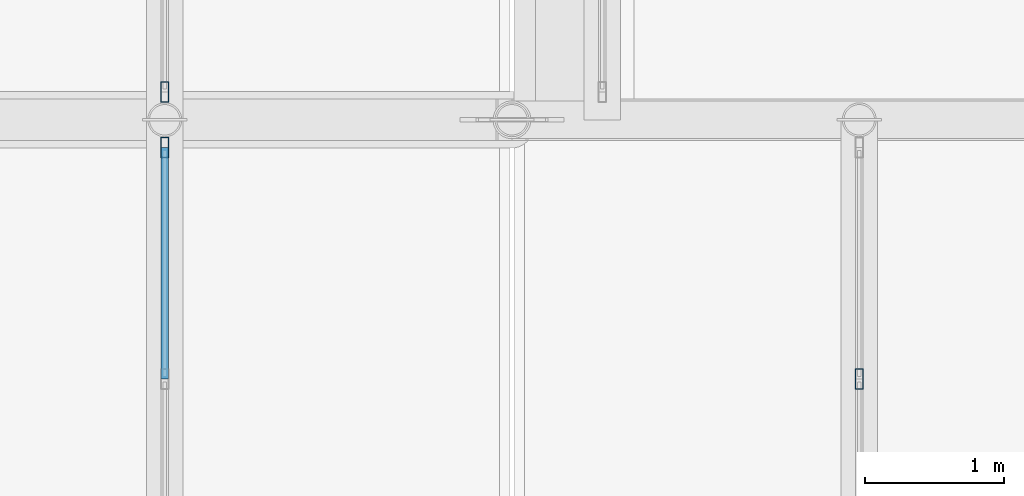
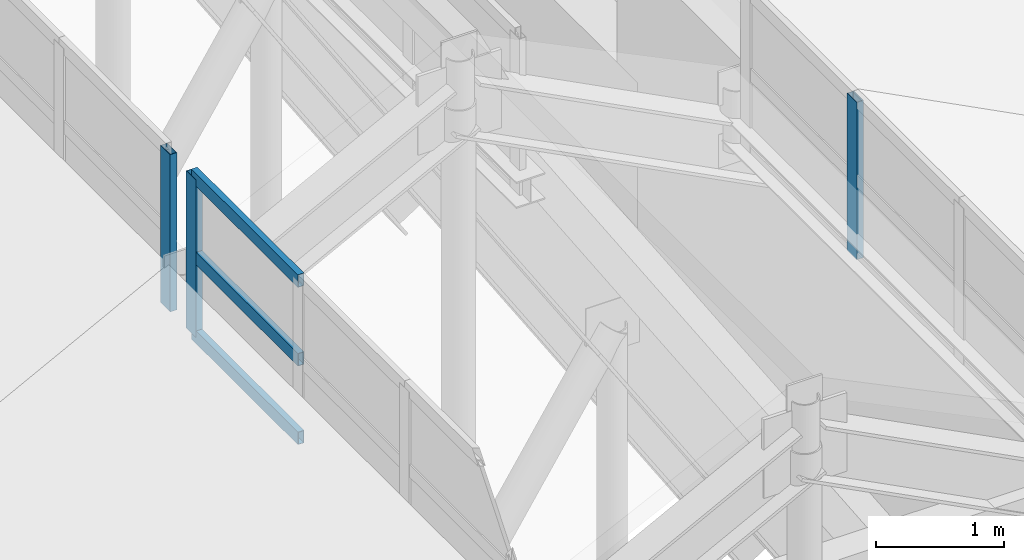
# One storey, part 9 of 84: 6 members, 3 elements without a shape of their own.
"""IFC4 building model written with IfcOpenShell, lengths in metres."""

from ifc_helpers import new_model, si_unit, direction, frame, origin, origin_2d, place, context, subcontext, project, spatial, hollow_rectangle, extrude, material, layer, layer_set, material_profile, profile_set, type_object, element, aggregate, save


model = new_model("IFC4")

# Units and contexts
model_context = context("Model", 3, precision=1e-05, world=origin(), true_north=direction((0.0, 1.0)))
body_context = subcontext(model_context, "Body", "Model", "MODEL_VIEW")
ifc_project = project(units=[si_unit("LENGTHUNIT", "METRE"), si_unit("AREAUNIT", "SQUARE_METRE"), si_unit("VOLUMEUNIT", "CUBIC_METRE"), si_unit("PLANEANGLEUNIT", "RADIAN"), si_unit("MASSUNIT", "GRAM", prefix="KILO")], contexts=[model_context])

# Site, building, storey
site_placement = place(None, origin())
site = spatial("IfcSite", under=ifc_project, at=site_placement, CompositionType="ELEMENT")
building_placement = place(site_placement, origin())
building = spatial("IfcBuilding", under=site, at=building_placement, Name="Sundgate Opera House", CompositionType="ELEMENT")
storey_placement = place(building_placement, frame((0.0, 0.0, 30.60009765625)))
storey = spatial("IfcBuildingStorey", under=building, at=storey_placement, Name="L06", CompositionType="ELEMENT", Elevation=30.60009765625)

# Curtain wall, member
ifc_material_1 = material(Name="Anodized aluminium and low-iron glass", Category="aluminium")
ifc_layer = layer(ifc_material_1, 0.169921875)
ifc_layer_set = layer_set([ifc_layer], Name="Anodized aluminium and low-iron glass")
curtain_wall_type = type_object("IfcCurtainWallType", Name="CW-LANTERN-POLY", PredefinedType="NOTDEFINED", material=ifc_layer_set)
curtain_wall_1_placement = place(storey_placement, origin())
curtain_wall_1 = element("IfcCurtainWall", 1, at=curtain_wall_1_placement, inside=storey, type_object=curtain_wall_type, Name="L06 Curtain Wall CW169", PredefinedType="NOTDEFINED")
ifc_material_2 = material(Name="Anodized aluminium EN AW-6063", Category="aluminium")
ifc_material_profile_1 = material_profile(ifc_material_2, hollow_rectangle(XDim=0.06005859375, YDim=0.14990234375, WallThickness=0.00390625, at=origin_2d()), Name="CWM 150x60x4")
ifc_profile_set_1 = profile_set([ifc_material_profile_1], Name="Anodized aluminium EN AW-6063")
member_type_1 = type_object("IfcMemberType", Name="CWM-ALU-150x60", PredefinedType="MULLION", material=ifc_profile_set_1)
member_1_placement = place(storey_placement, frame((51.5, 38.199951171875, 12.0), z_axis=(0.0, 0.0, 1.0), x_axis=(1.0, 0.0, 0.0)))
member_1 = element("IfcMember", 2, at=member_1_placement, type_object=member_type_1, Name="CW169 Mullion 1", PredefinedType="MULLION", context=body_context, shape_type="SweptSolid", body=[
    extrude(hollow_rectangle(XDim=0.06005859375, YDim=0.14990234375, WallThickness=0.00390625, at=origin_2d()), origin(), (0.0, 0.0, 1.0), 1.5),
])

curtain_wall_2_placement = place(storey_placement, origin())
curtain_wall_2 = element("IfcCurtainWall", 3, at=curtain_wall_2_placement, inside=storey, type_object=curtain_wall_type, Name="L06 Curtain Wall CW170", PredefinedType="NOTDEFINED")
member_2_placement = place(storey_placement, frame((56.5, 36.533447265625, 12.0), z_axis=(0.0, 0.0, 1.0), x_axis=(1.0, 0.0, 0.0)))
member_2 = element("IfcMember", 4, at=member_2_placement, type_object=member_type_1, Name="CW170 Mullion 3", PredefinedType="MULLION", context=body_context, shape_type="SweptSolid", body=[
    extrude(hollow_rectangle(XDim=0.06005859375, YDim=0.14990234375, WallThickness=0.00390625, at=origin_2d()), origin(), (0.0, 0.0, 1.0), 1.5),
])
aggregate(curtain_wall_2, [member_2])

curtain_wall_3_placement = place(storey_placement, origin())
curtain_wall_3 = element("IfcCurtainWall", 5, at=curtain_wall_3_placement, inside=storey, type_object=curtain_wall_type, Name="L06 Curtain Wall CW171", PredefinedType="NOTDEFINED")
member_3_placement = place(storey_placement, frame((51.5, 38.60009765625, 12.0), z_axis=(0.0, 0.0, 1.0), x_axis=(1.0, 0.0, 0.0)))
member_3 = element("IfcMember", 6, at=member_3_placement, type_object=member_type_1, Name="CW171 Mullion 4", PredefinedType="MULLION", context=body_context, shape_type="SweptSolid", body=[
    extrude(hollow_rectangle(XDim=0.06005859375, YDim=0.14990234375, WallThickness=0.00390625, at=origin_2d()), origin(), (0.0, 0.0, 1.0), 1.5),
])
aggregate(curtain_wall_3, [member_3])

# Member
ifc_material_3 = material(Name="Anodized aluminium EN AW-6063", Category="aluminium")
ifc_material_profile_2 = material_profile(ifc_material_3, hollow_rectangle(XDim=0.054931640625, YDim=0.1201171875, WallThickness=0.00390625, at=origin_2d()), Name="CWT 120x55x4")
ifc_profile_set_2 = profile_set([ifc_material_profile_2], Name="Anodized aluminium EN AW-6063")
member_type_2 = type_object("IfcMemberType", Name="CWT-ALU-120x55", PredefinedType="USERDEFINED", material=ifc_profile_set_2)
member_4_placement = place(storey_placement, frame((51.5, 38.199951171875, 12.0), z_axis=(0.0, -1.0, 0.0), x_axis=(1.0, 0.0, 0.0)))
member_4 = element("IfcMember", 7, at=member_4_placement, type_object=member_type_2, Name="CW169 Transom 1", ObjectType="TRANSOM", PredefinedType="USERDEFINED", context=body_context, shape_type="SweptSolid", body=[
    extrude(hollow_rectangle(XDim=0.054931640625, YDim=0.1201171875, WallThickness=0.00390625, at=origin_2d()), origin(), (0.0, 0.0, 1.0), 1.66650390625),
])

member_5_placement = place(storey_placement, frame((51.5, 38.199951171875, 12.75), z_axis=(0.0, -1.0, 0.0), x_axis=(1.0, 0.0, 0.0)))
member_5 = element("IfcMember", 8, at=member_5_placement, type_object=member_type_2, Name="CW169 Transom 2", ObjectType="TRANSOM", PredefinedType="USERDEFINED", context=body_context, shape_type="SweptSolid", body=[
    extrude(hollow_rectangle(XDim=0.054931640625, YDim=0.1201171875, WallThickness=0.00390625, at=origin_2d()), origin(), (0.0, 0.0, 1.0), 1.66650390625),
])

member_6_placement = place(storey_placement, frame((51.5, 38.199951171875, 13.5), z_axis=(0.0, -1.0, 0.0), x_axis=(1.0, 0.0, 0.0)))
member_6 = element("IfcMember", 9, at=member_6_placement, type_object=member_type_2, Name="CW169 Transom 3", ObjectType="TRANSOM", PredefinedType="USERDEFINED", context=body_context, shape_type="SweptSolid", body=[
    extrude(hollow_rectangle(XDim=0.054931640625, YDim=0.1201171875, WallThickness=0.00390625, at=origin_2d()), origin(), (0.0, 0.0, 1.0), 1.66650390625),
])

aggregate(curtain_wall_1, [member_1, member_4, member_5, member_6])

save(model, "model.ifc")
